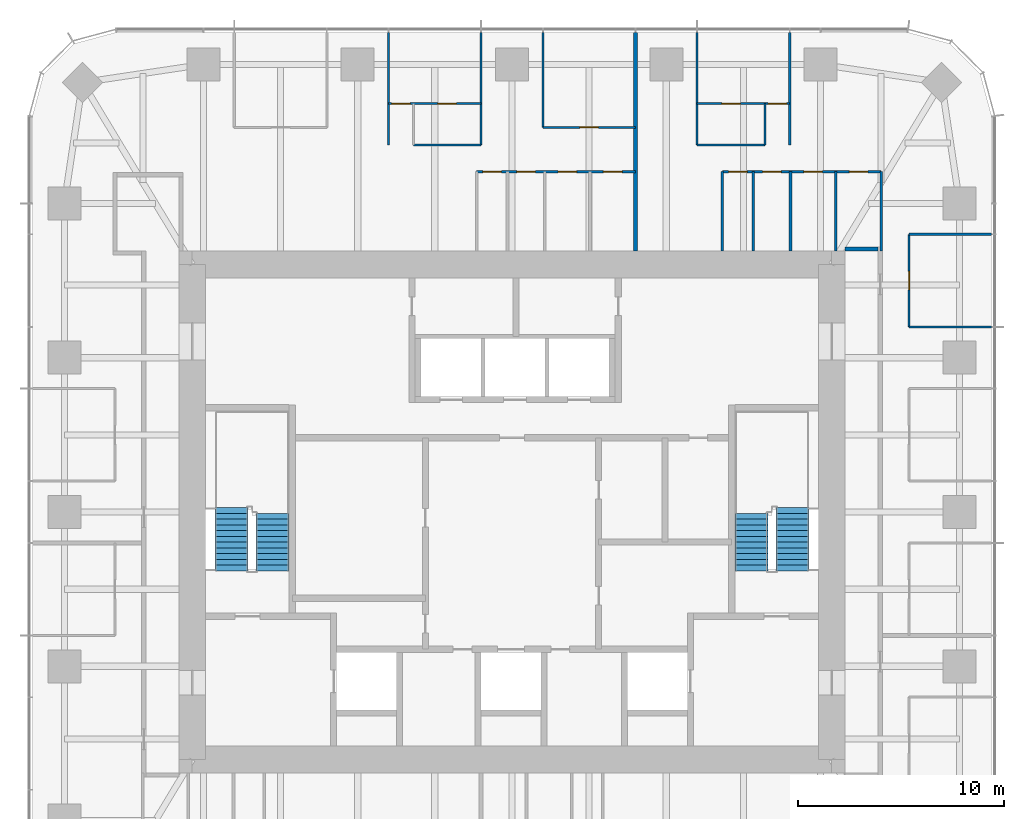
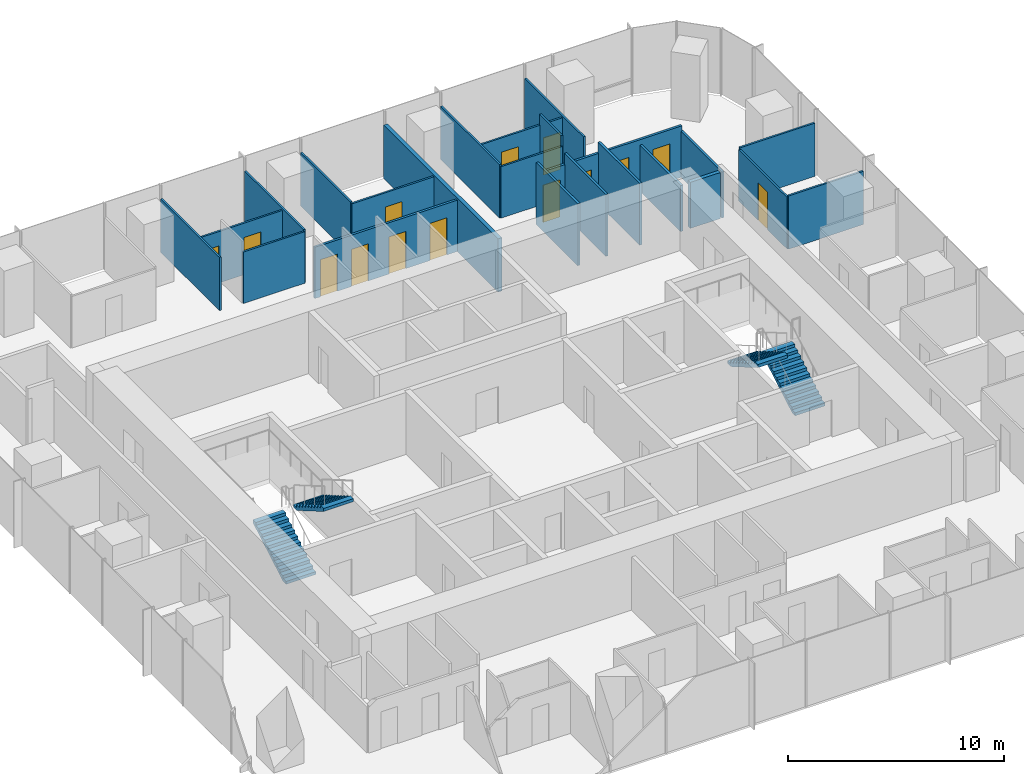
# One storey, part 11 of 12: 23 walls, 14 doors, 4 stair flights, 14 openings, 2 elements without a shape of their own.
"""IFC4 building model written with IfcOpenShell, lengths in metres."""

from ifc_helpers import new_model, si_unit, direction, frame, frame_2d, origin, place, context, subcontext, project, spatial, polyline, rectangle, outline, extrude, material, layer, layer_set, type_object, element, fill, aggregate, save


model = new_model("IFC4")

# Units and contexts
model_context = context("Model", 3, precision=1e-05, world=origin(), true_north=direction((0.0, 1.0)))
body_context = subcontext(model_context, "Body", "Model", "MODEL_VIEW")
ifc_project = project(units=[si_unit("LENGTHUNIT", "METRE"), si_unit("AREAUNIT", "SQUARE_METRE"), si_unit("VOLUMEUNIT", "CUBIC_METRE"), si_unit("PLANEANGLEUNIT", "RADIAN"), si_unit("MASSUNIT", "GRAM", prefix="KILO")], contexts=[model_context])

# Site, building, storey
site_placement = place(None, origin())
site = spatial("IfcSite", under=ifc_project, at=site_placement, CompositionType="ELEMENT")
building_placement = place(site_placement, origin())
building = spatial("IfcBuilding", under=site, at=building_placement, Name="Khuree Lantern Residences", CompositionType="ELEMENT")
storey_placement = place(building_placement, frame((0.0, 0.0, 327.0)))
storey = spatial("IfcBuildingStorey", under=building, at=storey_placement, Name="L82", CompositionType="ELEMENT", Elevation=327.0)

# Wall, openings, doors
ifc_material_1 = material(Name="Moisture-resistant gypsum board on steel studs", Category="steel")
ifc_layer_1 = layer(ifc_material_1, 0.125)
ifc_layer_set_1 = layer_set([ifc_layer_1], Name="BATHROOM WALL BTW125")
wall_type_1 = type_object("IfcWallType", Name="BATHROOM WALL BTW125", PredefinedType="PARTITIONING", material=ifc_layer_set_1)
wall_1_placement = place(storey_placement, frame((17.89990234375, 16.496337890625, 0.0), z_axis=(0.0, 0.0, 1.0), x_axis=(-1.0, 0.0, 0.0)))
wall_1 = element("IfcWall", 1, at=wall_1_placement, inside=storey, type_object=wall_type_1, Name="L82 BATHROOM WALL 01", PredefinedType="PARTITIONING", context=body_context, shape_type="SweptSolid", body=[
    extrude(rectangle(XDim=7.699951171875, YDim=0.125, at=frame_2d((3.85009765625, 0.0))), origin(), (0.0, 0.0, 1.0), 2.89990234375),
])
opening_1_placement = place(wall_1_placement, frame((0.64990234375, 0.0, 0.0)))
opening_1 = element("IfcOpeningElement", 2, at=opening_1_placement, cuts=wall_1, Name="Opening 82-028", PredefinedType="OPENING", context=body_context, shape_type="SweptSolid", body=[
    extrude(rectangle(XDim=0.89990234375, YDim=2.10009765625, at=frame_2d((0.449951171875, 1.050048828125))), frame((0.0, 0.072509765625, 0.0), z_axis=(0.0, -1.0, 0.0), x_axis=(1.0, 0.0, 0.0)), (0.0, 0.0, 1.0), 0.14501953125),
])
opening_2_placement = place(wall_1_placement, frame((2.85009765625, 0.0, 0.0)))
opening_2 = element("IfcOpeningElement", 3, at=opening_2_placement, cuts=wall_1, Name="Opening 82-029", PredefinedType="OPENING", context=body_context, shape_type="SweptSolid", body=[
    extrude(rectangle(XDim=0.89990234375, YDim=2.10009765625, at=frame_2d((0.449951171875, 1.050048828125))), frame((0.0, 0.072509765625, 0.0), z_axis=(0.0, -1.0, 0.0), x_axis=(1.0, 0.0, 0.0)), (0.0, 0.0, 1.0), 0.14501953125),
])
opening_3_placement = place(wall_1_placement, frame((4.85009765625, 0.0, 0.0)))
opening_3 = element("IfcOpeningElement", 4, at=opening_3_placement, cuts=wall_1, Name="Opening 82-030", PredefinedType="OPENING", context=body_context, shape_type="SweptSolid", body=[
    extrude(rectangle(XDim=0.89990234375, YDim=2.10009765625, at=frame_2d((0.449951171875, 1.050048828125))), frame((0.0, 0.072509765625, 0.0), z_axis=(0.0, -1.0, 0.0), x_axis=(1.0, 0.0, 0.0)), (0.0, 0.0, 1.0), 0.14501953125),
])
opening_4_placement = place(wall_1_placement, frame((6.5, 0.0, 0.0)))
opening_4 = element("IfcOpeningElement", 5, at=opening_4_placement, cuts=wall_1, Name="Opening 82-031", PredefinedType="OPENING", context=body_context, shape_type="SweptSolid", body=[
    extrude(rectangle(XDim=0.89990234375, YDim=2.10009765625, at=frame_2d((0.449951171875, 1.050048828125))), frame((0.0, 0.072509765625, 0.0), z_axis=(0.0, -1.0, 0.0), x_axis=(1.0, 0.0, 0.0)), (0.0, 0.0, 1.0), 0.14501953125),
])
ifc_material_2 = material(Name="Timber door leaf in hardwood frame", Category="wood")
door_type_1 = type_object("IfcDoorType", Name="BATHROOM DOOR 900X2100", OperationType="SINGLE_SWING_LEFT", PredefinedType="DOOR", material=ifc_material_2)
door_1_placement = place(opening_1_placement, origin())
door_1 = element("IfcDoor", 6, at=door_1_placement, inside=storey, type_object=door_type_1, Name="Bathroom door 82-028", OperationType="SINGLE_SWING_LEFT", OverallHeight=2.10009765625, OverallWidth=0.89990234375, PredefinedType="DOOR", context=body_context, shape_type="SweptSolid", body=[
    extrude(rectangle(XDim=0.89990234375, YDim=2.10009765625, at=frame_2d((0.449951171875, 1.050048828125))), frame((0.0, 0.02490234375, 0.0), z_axis=(0.0, -1.0, 0.0), x_axis=(1.0, 0.0, 0.0)), (0.0, 0.0, 1.0), 0.050048828125),
])
fill(opening_1, door_1)
door_2_placement = place(opening_2_placement, origin())
door_2 = element("IfcDoor", 7, at=door_2_placement, inside=storey, type_object=door_type_1, Name="Bathroom door 82-029", OperationType="SINGLE_SWING_LEFT", OverallHeight=2.10009765625, OverallWidth=0.89990234375, PredefinedType="DOOR", context=body_context, shape_type="SweptSolid", body=[
    extrude(rectangle(XDim=0.89990234375, YDim=2.10009765625, at=frame_2d((0.449951171875, 1.050048828125))), frame((0.0, 0.02490234375, 0.0), z_axis=(0.0, -1.0, 0.0), x_axis=(1.0, 0.0, 0.0)), (0.0, 0.0, 1.0), 0.050048828125),
])
fill(opening_2, door_2)
door_type_2 = type_object("IfcDoorType", Name="DOOR 900X2100", OperationType="SINGLE_SWING_LEFT", PredefinedType="DOOR", material=ifc_material_2)
door_3_placement = place(opening_3_placement, origin())
door_3 = element("IfcDoor", 8, at=door_3_placement, inside=storey, type_object=door_type_2, Name="Store door 82-030", OperationType="SINGLE_SWING_LEFT", OverallHeight=2.10009765625, OverallWidth=0.89990234375, PredefinedType="DOOR", context=body_context, shape_type="SweptSolid", body=[
    extrude(rectangle(XDim=0.89990234375, YDim=2.10009765625, at=frame_2d((0.449951171875, 1.050048828125))), frame((0.0, 0.02490234375, 0.0), z_axis=(0.0, -1.0, 0.0), x_axis=(1.0, 0.0, 0.0)), (0.0, 0.0, 1.0), 0.050048828125),
])
fill(opening_3, door_3)
door_type_3 = type_object("IfcDoorType", Name="WC DOOR 900X2100", OperationType="SINGLE_SWING_LEFT", PredefinedType="DOOR", material=ifc_material_2)
door_4_placement = place(opening_4_placement, origin())
door_4 = element("IfcDoor", 9, at=door_4_placement, inside=storey, type_object=door_type_3, Name="WC door 82-031", OperationType="SINGLE_SWING_LEFT", OverallHeight=2.10009765625, OverallWidth=0.89990234375, PredefinedType="DOOR", context=body_context, shape_type="SweptSolid", body=[
    extrude(rectangle(XDim=0.89990234375, YDim=2.10009765625, at=frame_2d((0.449951171875, 1.050048828125))), frame((0.0, 0.02490234375, 0.0), z_axis=(0.0, -1.0, 0.0), x_axis=(1.0, 0.0, 0.0)), (0.0, 0.0, 1.0), 0.050048828125),
])
fill(opening_4, door_4)

# Walls
for number, where, z_axis, x_axis, name in (
    (10, (17.89990234375, 12.64990234375, 0.0), (0.0, 0.0, 1.0), (0.0, 1.0, 0.0), "L82 BATHROOM WALL 01"),
    (11, (15.699951171875, 12.64990234375, 0.0), (0.0, 0.0, 1.0), (0.0, 1.0, 0.0), "L82 BATHROOM WALL 01"),
):
    element("IfcWall", number, at=place(storey_placement, frame(where, z_axis=z_axis, x_axis=x_axis)), inside=storey, type_object=wall_type_1, Name=name, PredefinedType="PARTITIONING", context=body_context, shape_type="SweptSolid", body=[
        extrude(rectangle(XDim=3.846435546875, YDim=0.125, at=frame_2d((1.92333984375, 0.0))), origin(), (0.0, 0.0, 1.0), 2.60009765625),
    ])
for number, where, z_axis, x_axis, name in (
    (12, (13.5, 12.64990234375, 0.0), (0.0, 0.0, 1.0), (0.0, 1.0, 0.0), "L82 BATHROOM WALL 01"),
    (13, (11.699951171875, 12.64990234375, 0.0), (0.0, 0.0, 1.0), (0.0, 1.0, 0.0), "L82 BATHROOM WALL 01"),
    (14, (10.199951171875, 12.64990234375, 0.0), (0.0, 0.0, 1.0), (0.0, 1.0, 0.0), "L82 BATHROOM WALL 01"),
):
    element("IfcWall", number, at=place(storey_placement, frame(where, z_axis=z_axis, x_axis=x_axis)), inside=storey, type_object=wall_type_1, Name=name, PredefinedType="PARTITIONING", context=body_context, shape_type="SweptSolid", body=[
        extrude(rectangle(XDim=3.846435546875, YDim=0.125, at=frame_2d((1.92333984375, 0.0))), origin(), (0.0, 0.0, 1.0), 3.5),
    ])

# Wall, openings, doors
wall_2_placement = place(storey_placement, frame((5.98388671875, 16.496337890625, 0.0), z_axis=(0.0, 0.0, 1.0), x_axis=(-1.0, 0.0, 0.0)))
wall_2 = element("IfcWall", 15, at=wall_2_placement, inside=storey, type_object=wall_type_1, Name="L82 BATHROOM WALL 02", PredefinedType="PARTITIONING", context=body_context, shape_type="SweptSolid", body=[
    extrude(rectangle(XDim=7.699951171875, YDim=0.125, at=frame_2d((3.85009765625, 0.0))), origin(), (0.0, 0.0, 1.0), 2.89990234375),
])
opening_5_placement = place(wall_2_placement, frame((0.64990234375, 0.0, 0.0)))
opening_5 = element("IfcOpeningElement", 16, at=opening_5_placement, cuts=wall_2, Name="Opening 82-038", PredefinedType="OPENING", context=body_context, shape_type="SweptSolid", body=[
    extrude(rectangle(XDim=0.89990234375, YDim=2.10009765625, at=frame_2d((0.449951171875, 1.050048828125))), frame((0.0, 0.072509765625, 0.0), z_axis=(0.0, -1.0, 0.0), x_axis=(1.0, 0.0, 0.0)), (0.0, 0.0, 1.0), 0.14501953125),
])
opening_6_placement = place(wall_2_placement, frame((2.85009765625, 0.0, 0.0)))
opening_6 = element("IfcOpeningElement", 17, at=opening_6_placement, cuts=wall_2, Name="Opening 82-039", PredefinedType="OPENING", context=body_context, shape_type="SweptSolid", body=[
    extrude(rectangle(XDim=0.89990234375, YDim=2.10009765625, at=frame_2d((0.449951171875, 1.050048828125))), frame((0.0, 0.072509765625, 0.0), z_axis=(0.0, -1.0, 0.0), x_axis=(1.0, 0.0, 0.0)), (0.0, 0.0, 1.0), 0.14501953125),
])
opening_7_placement = place(wall_2_placement, frame((4.85009765625, 0.0, 0.0)))
opening_7 = element("IfcOpeningElement", 18, at=opening_7_placement, cuts=wall_2, Name="Opening 82-040", PredefinedType="OPENING", context=body_context, shape_type="SweptSolid", body=[
    extrude(rectangle(XDim=0.89990234375, YDim=2.10009765625, at=frame_2d((0.449951171875, 1.050048828125))), frame((0.0, 0.072509765625, 0.0), z_axis=(0.0, -1.0, 0.0), x_axis=(1.0, 0.0, 0.0)), (0.0, 0.0, 1.0), 0.14501953125),
])
opening_8_placement = place(wall_2_placement, frame((6.5, 0.0, 0.0)))
opening_8 = element("IfcOpeningElement", 19, at=opening_8_placement, cuts=wall_2, Name="Opening 82-041", PredefinedType="OPENING", context=body_context, shape_type="SweptSolid", body=[
    extrude(rectangle(XDim=0.89990234375, YDim=2.10009765625, at=frame_2d((0.449951171875, 1.050048828125))), frame((0.0, 0.072509765625, 0.0), z_axis=(0.0, -1.0, 0.0), x_axis=(1.0, 0.0, 0.0)), (0.0, 0.0, 1.0), 0.14501953125),
])
door_5_placement = place(opening_5_placement, origin())
door_5 = element("IfcDoor", 20, at=door_5_placement, inside=storey, type_object=door_type_1, Name="Bathroom door 82-038", OperationType="SINGLE_SWING_LEFT", OverallHeight=2.10009765625, OverallWidth=0.89990234375, PredefinedType="DOOR", context=body_context, shape_type="SweptSolid", body=[
    extrude(rectangle(XDim=0.89990234375, YDim=2.10009765625, at=frame_2d((0.449951171875, 1.050048828125))), frame((0.0, 0.02490234375, 0.0), z_axis=(0.0, -1.0, 0.0), x_axis=(1.0, 0.0, 0.0)), (0.0, 0.0, 1.0), 0.050048828125),
])
fill(opening_5, door_5)
door_6_placement = place(opening_6_placement, origin())
door_6 = element("IfcDoor", 21, at=door_6_placement, inside=storey, type_object=door_type_1, Name="Bathroom door 82-039", OperationType="SINGLE_SWING_LEFT", OverallHeight=2.10009765625, OverallWidth=0.89990234375, PredefinedType="DOOR", context=body_context, shape_type="SweptSolid", body=[
    extrude(rectangle(XDim=0.89990234375, YDim=2.10009765625, at=frame_2d((0.449951171875, 1.050048828125))), frame((0.0, 0.02490234375, 0.0), z_axis=(0.0, -1.0, 0.0), x_axis=(1.0, 0.0, 0.0)), (0.0, 0.0, 1.0), 0.050048828125),
])
fill(opening_6, door_6)
door_7_placement = place(opening_7_placement, origin())
door_7 = element("IfcDoor", 22, at=door_7_placement, inside=storey, type_object=door_type_2, Name="Store door 82-040", OperationType="SINGLE_SWING_LEFT", OverallHeight=2.10009765625, OverallWidth=0.89990234375, PredefinedType="DOOR", context=body_context, shape_type="SweptSolid", body=[
    extrude(rectangle(XDim=0.89990234375, YDim=2.10009765625, at=frame_2d((0.449951171875, 1.050048828125))), frame((0.0, 0.02490234375, 0.0), z_axis=(0.0, -1.0, 0.0), x_axis=(1.0, 0.0, 0.0)), (0.0, 0.0, 1.0), 0.050048828125),
])
fill(opening_7, door_7)
door_8_placement = place(opening_8_placement, origin())
door_8 = element("IfcDoor", 23, at=door_8_placement, inside=storey, type_object=door_type_3, Name="WC door 82-041", OperationType="SINGLE_SWING_LEFT", OverallHeight=2.10009765625, OverallWidth=0.89990234375, PredefinedType="DOOR", context=body_context, shape_type="SweptSolid", body=[
    extrude(rectangle(XDim=0.89990234375, YDim=2.10009765625, at=frame_2d((0.449951171875, 1.050048828125))), frame((0.0, 0.02490234375, 0.0), z_axis=(0.0, -1.0, 0.0), x_axis=(1.0, 0.0, 0.0)), (0.0, 0.0, 1.0), 0.050048828125),
])
fill(opening_8, door_8)

# Walls
ifc_material_3 = material(Name="Gypsum board on steel studs", Category="steel")
ifc_layer_2 = layer(ifc_material_3, 0.199951171875)
ifc_layer_set_2 = layer_set([ifc_layer_2], Name="CORRIDOR WALL CRW200 EI 60")
wall_type_2 = type_object("IfcWallType", Name="CORRIDOR WALL CRW200 EI 60", PredefinedType="PARTITIONING", material=ifc_layer_set_2)
wall_3_placement = place(storey_placement, frame((16.14990234375, 12.75, 0.0), z_axis=(0.0, 0.0, 1.0), x_axis=(1.0, 0.0, 0.0)))
element("IfcWall", 24, at=wall_3_placement, inside=storey, type_object=wall_type_2, Name="L82 EAST CORRIDOR NORTH END WALL", PredefinedType="PARTITIONING", context=body_context, shape_type="SweptSolid", body=[
    extrude(rectangle(XDim=1.60009765625, YDim=0.199951171875, at=frame_2d((0.800048828125, 0.0))), origin(), (0.0, 0.0, 1.0), 2.60009765625),
])
ifc_layer_3 = layer(ifc_material_3, 0.199951171875)
ifc_layer_set_3 = layer_set([ifc_layer_3], Name="DEMISING WALL DMW200 EI 90")
wall_type_3 = type_object("IfcWallType", Name="DEMISING WALL DMW200 EI 90", PredefinedType="PARTITIONING", material=ifc_layer_set_3)
wall_4_placement = place(storey_placement, frame((5.98388671875, 12.64990234375, 0.0), z_axis=(0.0, 0.0, 1.0), x_axis=(0.0, 1.0, 0.0)))
element("IfcWall", 25, at=wall_4_placement, inside=storey, type_object=wall_type_3, Name="L82 DEMISING WALL 02", PredefinedType="PARTITIONING", context=body_context, shape_type="SweptSolid", body=[
    extrude(rectangle(XDim=10.60009765625, YDim=0.199951171875, at=frame_2d((5.300048828125, 0.0))), origin(), (0.0, 0.0, 1.0), 3.010009765625),
])
ifc_layer_4 = layer(ifc_material_3, 0.10009765625)
ifc_layer_set_4 = layer_set([ifc_layer_4], Name="PARTITION PT100")
wall_type_4 = type_object("IfcWallType", Name="PARTITION PT100", PredefinedType="PARTITIONING", material=ifc_layer_set_4)
for number, where, z_axis, x_axis, name in (
    (26, (19.25, 8.97607421875, 0.0), (0.0, 0.0, 1.0), (1.0, 0.0, 0.0), "L82 PARTITION 01"),
    (27, (19.25, 13.464111328125, 0.0), (0.0, 0.0, 1.0), (1.0, 0.0, 0.0), "L82 PARTITION 01"),
):
    element("IfcWall", number, at=place(storey_placement, frame(where, z_axis=z_axis, x_axis=x_axis)), inside=storey, type_object=wall_type_4, Name=name, PredefinedType="PARTITIONING", context=body_context, shape_type="SweptSolid", body=[
        extrude(rectangle(XDim=4.0, YDim=0.10009765625, at=frame_2d((2.0, 0.0))), origin(), (0.0, 0.0, 1.0), 3.010009765625),
    ])
for number, where, z_axis, x_axis, name in (
    (28, (13.464111328125, 17.79638671875, 0.0), (0.0, 0.0, 1.0), (0.0, 1.0, 0.0), "L82 PARTITION 01"),
    (29, (8.97607421875, 17.79638671875, 0.0), (0.0, 0.0, 1.0), (0.0, 1.0, 0.0), "L82 PARTITION 01"),
):
    element("IfcWall", number, at=place(storey_placement, frame(where, z_axis=z_axis, x_axis=x_axis)), inside=storey, type_object=wall_type_4, Name=name, PredefinedType="PARTITIONING", context=body_context, shape_type="SweptSolid", body=[
        extrude(rectangle(XDim=5.45361328125, YDim=0.10009765625, at=frame_2d((2.726806640625, 0.0))), origin(), (0.0, 0.0, 1.0), 3.010009765625),
    ])
wall_5_placement = place(storey_placement, frame((1.49609375, 18.64990234375, 0.0), z_axis=(0.0, 0.0, 1.0), x_axis=(0.0, 1.0, 0.0)))
element("IfcWall", 30, at=wall_5_placement, inside=storey, type_object=wall_type_4, Name="L82 PARTITION 02", PredefinedType="PARTITIONING", context=body_context, shape_type="SweptSolid", body=[
    extrude(rectangle(XDim=4.60009765625, YDim=0.10009765625, at=frame_2d((2.300048828125, 0.0))), origin(), (0.0, 0.0, 1.0), 3.010009765625),
])
for number, where, z_axis, x_axis, name in (
    (31, (-1.49609375, 17.79638671875, 0.0), (0.0, 0.0, 1.0), (0.0, 1.0, 0.0), "L82 PARTITION 02"),
    (32, (-5.98388671875, 17.79638671875, 0.0), (0.0, 0.0, 1.0), (0.0, 1.0, 0.0), "L82 PARTITION 02"),
):
    element("IfcWall", number, at=place(storey_placement, frame(where, z_axis=z_axis, x_axis=x_axis)), inside=storey, type_object=wall_type_4, Name=name, PredefinedType="PARTITIONING", context=body_context, shape_type="SweptSolid", body=[
        extrude(rectangle(XDim=5.45361328125, YDim=0.10009765625, at=frame_2d((2.726806640625, 0.0))), origin(), (0.0, 0.0, 1.0), 3.010009765625),
    ])

# Wall, opening, door
wall_6_placement = place(storey_placement, frame((19.25, 8.97607421875, 0.0), z_axis=(0.0, 0.0, 1.0), x_axis=(0.0, 1.0, 0.0)))
wall_6 = element("IfcWall", 33, at=wall_6_placement, inside=storey, type_object=wall_type_4, Name="L82 PARTITION 01", PredefinedType="PARTITIONING", context=body_context, shape_type="SweptSolid", body=[
    extrude(rectangle(XDim=4.488037109375, YDim=0.10009765625, at=frame_2d((2.244140625, 0.0))), origin(), (0.0, 0.0, 1.0), 2.909912109375),
])
opening_9_placement = place(wall_6_placement, frame((1.7939453125, 0.0, 0.0)))
opening_9 = element("IfcOpeningElement", 34, at=opening_9_placement, cuts=wall_6, Name="Opening 82-025", PredefinedType="OPENING", context=body_context, shape_type="SweptSolid", body=[
    extrude(rectangle(XDim=0.89990234375, YDim=2.10009765625, at=frame_2d((0.449951171875, 1.050048828125))), frame((0.0, 0.06005859375, 0.0), z_axis=(0.0, -1.0, 0.0), x_axis=(1.0, 0.0, 0.0)), (0.0, 0.0, 1.0), 0.1201171875),
])
door_type_4 = type_object("IfcDoorType", Name="BEDROOM DOOR 900X2100", OperationType="SINGLE_SWING_LEFT", PredefinedType="DOOR", material=ifc_material_2)
door_9_placement = place(opening_9_placement, origin())
door_9 = element("IfcDoor", 35, at=door_9_placement, inside=storey, type_object=door_type_4, Name="Bedroom door 82-025", OperationType="SINGLE_SWING_LEFT", OverallHeight=2.10009765625, OverallWidth=0.89990234375, PredefinedType="DOOR", context=body_context, shape_type="SweptSolid", body=[
    extrude(rectangle(XDim=0.89990234375, YDim=2.10009765625, at=frame_2d((0.449951171875, 1.050048828125))), frame((0.0, 0.02490234375, 0.0), z_axis=(0.0, -1.0, 0.0), x_axis=(1.0, 0.0, 0.0)), (0.0, 0.0, 1.0), 0.050048828125),
])
fill(opening_9, door_9)

# Wall, openings, doors
wall_7_placement = place(storey_placement, frame((13.464111328125, 19.79638671875, 0.0), z_axis=(0.0, 0.0, 1.0), x_axis=(-1.0, 0.0, 0.0)))
wall_7 = element("IfcWall", 36, at=wall_7_placement, inside=storey, type_object=wall_type_4, Name="L82 PARTITION 01", PredefinedType="PARTITIONING", context=body_context, shape_type="SweptSolid", body=[
    extrude(rectangle(XDim=4.488037109375, YDim=0.10009765625, at=frame_2d((2.244140625, 0.0))), origin(), (0.0, 0.0, 1.0), 2.909912109375),
])
opening_10_placement = place(wall_7_placement, frame((0.14990234375, 0.0, 0.0)))
opening_10 = element("IfcOpeningElement", 37, at=opening_10_placement, cuts=wall_7, Name="Opening 82-026", PredefinedType="OPENING", context=body_context, shape_type="SweptSolid", body=[
    extrude(rectangle(XDim=0.89990234375, YDim=2.10009765625, at=frame_2d((0.449951171875, 1.050048828125))), frame((0.0, 0.06005859375, 0.0), z_axis=(0.0, -1.0, 0.0), x_axis=(1.0, 0.0, 0.0)), (0.0, 0.0, 1.0), 0.1201171875),
])
opening_11_placement = place(wall_7_placement, frame((2.39404296875, 0.0, 0.0)))
opening_11 = element("IfcOpeningElement", 38, at=opening_11_placement, cuts=wall_7, Name="Opening 82-027", PredefinedType="OPENING", context=body_context, shape_type="SweptSolid", body=[
    extrude(rectangle(XDim=0.89990234375, YDim=2.10009765625, at=frame_2d((0.449951171875, 1.050048828125))), frame((0.0, 0.06005859375, 0.0), z_axis=(0.0, -1.0, 0.0), x_axis=(1.0, 0.0, 0.0)), (0.0, 0.0, 1.0), 0.1201171875),
])
door_10_placement = place(opening_10_placement, origin())
door_10 = element("IfcDoor", 39, at=door_10_placement, inside=storey, type_object=door_type_4, Name="Bedroom door 82-026", OperationType="SINGLE_SWING_LEFT", OverallHeight=2.10009765625, OverallWidth=0.89990234375, PredefinedType="DOOR", context=body_context, shape_type="SweptSolid", body=[
    extrude(rectangle(XDim=0.89990234375, YDim=2.10009765625, at=frame_2d((0.449951171875, 1.050048828125))), frame((0.0, 0.02490234375, 0.0), z_axis=(0.0, -1.0, 0.0), x_axis=(1.0, 0.0, 0.0)), (0.0, 0.0, 1.0), 0.050048828125),
])
fill(opening_10, door_10)
door_11_placement = place(opening_11_placement, origin())
door_11 = element("IfcDoor", 40, at=door_11_placement, inside=storey, type_object=door_type_2, Name="Wardrobe door 82-027", OperationType="SINGLE_SWING_LEFT", OverallHeight=2.10009765625, OverallWidth=0.89990234375, PredefinedType="DOOR", context=body_context, shape_type="SweptSolid", body=[
    extrude(rectangle(XDim=0.89990234375, YDim=2.10009765625, at=frame_2d((0.449951171875, 1.050048828125))), frame((0.0, 0.02490234375, 0.0), z_axis=(0.0, -1.0, 0.0), x_axis=(1.0, 0.0, 0.0)), (0.0, 0.0, 1.0), 0.050048828125),
])
fill(opening_11, door_11)

# Walls
wall_8_placement = place(storey_placement, frame((12.263916015625, 17.79638671875, 0.0), z_axis=(0.0, 0.0, 1.0), x_axis=(0.0, 1.0, 0.0)))
element("IfcWall", 41, at=wall_8_placement, inside=storey, type_object=wall_type_4, Name="L82 PARTITION 01", PredefinedType="PARTITIONING", context=body_context, shape_type="SweptSolid", body=[
    extrude(rectangle(XDim=2.0, YDim=0.10009765625, at=frame_2d((1.0, 0.0))), origin(), (0.0, 0.0, 1.0), 3.5),
])
wall_9_placement = place(storey_placement, frame((12.263916015625, 17.79638671875, 0.0), z_axis=(0.0, 0.0, 1.0), x_axis=(-1.0, 0.0, 0.0)))
element("IfcWall", 42, at=wall_9_placement, inside=storey, type_object=wall_type_4, Name="L82 PARTITION 01", PredefinedType="PARTITIONING", context=body_context, shape_type="SweptSolid", body=[
    extrude(rectangle(XDim=3.287841796875, YDim=0.10009765625, at=frame_2d((1.64404296875, 0.0))), origin(), (0.0, 0.0, 1.0), 2.909912109375),
])

# Wall, opening, door
wall_10_placement = place(storey_placement, frame((5.98388671875, 18.64990234375, 0.0), z_axis=(0.0, 0.0, 1.0), x_axis=(-1.0, 0.0, 0.0)))
wall_10 = element("IfcWall", 43, at=wall_10_placement, inside=storey, type_object=wall_type_4, Name="L82 PARTITION 02", PredefinedType="PARTITIONING", context=body_context, shape_type="SweptSolid", body=[
    extrude(rectangle(XDim=4.48779296875, YDim=0.10009765625, at=frame_2d((2.243896484375, 0.0))), origin(), (0.0, 0.0, 1.0), 2.909912109375),
])
opening_12_placement = place(wall_10_placement, frame((1.7939453125, 0.0, 0.0)))
opening_12 = element("IfcOpeningElement", 44, at=opening_12_placement, cuts=wall_10, Name="Opening 82-033", PredefinedType="OPENING", context=body_context, shape_type="SweptSolid", body=[
    extrude(rectangle(XDim=0.89990234375, YDim=2.10009765625, at=frame_2d((0.449951171875, 1.050048828125))), frame((0.0, 0.06005859375, 0.0), z_axis=(0.0, -1.0, 0.0), x_axis=(1.0, 0.0, 0.0)), (0.0, 0.0, 1.0), 0.1201171875),
])
door_12_placement = place(opening_12_placement, origin())
door_12 = element("IfcDoor", 45, at=door_12_placement, inside=storey, type_object=door_type_4, Name="Bedroom door 82-033", OperationType="SINGLE_SWING_LEFT", OverallHeight=2.10009765625, OverallWidth=0.89990234375, PredefinedType="DOOR", context=body_context, shape_type="SweptSolid", body=[
    extrude(rectangle(XDim=0.89990234375, YDim=2.10009765625, at=frame_2d((0.449951171875, 1.050048828125))), frame((0.0, 0.02490234375, 0.0), z_axis=(0.0, -1.0, 0.0), x_axis=(1.0, 0.0, 0.0)), (0.0, 0.0, 1.0), 0.050048828125),
])
fill(opening_12, door_12)

# Wall, openings, doors
wall_11_placement = place(storey_placement, frame((-1.49609375, 19.79638671875, 0.0), z_axis=(0.0, 0.0, 1.0), x_axis=(-1.0, 0.0, 0.0)))
wall_11 = element("IfcWall", 46, at=wall_11_placement, inside=storey, type_object=wall_type_4, Name="L82 PARTITION 02", PredefinedType="PARTITIONING", context=body_context, shape_type="SweptSolid", body=[
    extrude(rectangle(XDim=4.48779296875, YDim=0.10009765625, at=frame_2d((2.243896484375, 0.0))), origin(), (0.0, 0.0, 1.0), 2.909912109375),
])
opening_13_placement = place(wall_11_placement, frame((3.43798828125, 0.0, 0.0)))
opening_13 = element("IfcOpeningElement", 47, at=opening_13_placement, cuts=wall_11, Name="Opening 82-034", PredefinedType="OPENING", context=body_context, shape_type="SweptSolid", body=[
    extrude(rectangle(XDim=0.89990234375, YDim=2.10009765625, at=frame_2d((0.449951171875, 1.050048828125))), frame((0.0, 0.06005859375, 0.0), z_axis=(0.0, -1.0, 0.0), x_axis=(1.0, 0.0, 0.0)), (0.0, 0.0, 1.0), 0.1201171875),
])
opening_14_placement = place(wall_11_placement, frame((1.194091796875, 0.0, 0.0)))
opening_14 = element("IfcOpeningElement", 48, at=opening_14_placement, cuts=wall_11, Name="Opening 82-035", PredefinedType="OPENING", context=body_context, shape_type="SweptSolid", body=[
    extrude(rectangle(XDim=0.89990234375, YDim=2.10009765625, at=frame_2d((0.449951171875, 1.050048828125))), frame((0.0, 0.06005859375, 0.0), z_axis=(0.0, -1.0, 0.0), x_axis=(1.0, 0.0, 0.0)), (0.0, 0.0, 1.0), 0.1201171875),
])
door_13_placement = place(opening_13_placement, origin())
door_13 = element("IfcDoor", 49, at=door_13_placement, inside=storey, type_object=door_type_4, Name="Bedroom door 82-034", OperationType="SINGLE_SWING_LEFT", OverallHeight=2.10009765625, OverallWidth=0.89990234375, PredefinedType="DOOR", context=body_context, shape_type="SweptSolid", body=[
    extrude(rectangle(XDim=0.89990234375, YDim=2.10009765625, at=frame_2d((0.449951171875, 1.050048828125))), frame((0.0, 0.02490234375, 0.0), z_axis=(0.0, -1.0, 0.0), x_axis=(1.0, 0.0, 0.0)), (0.0, 0.0, 1.0), 0.050048828125),
])
fill(opening_13, door_13)
door_14_placement = place(opening_14_placement, origin())
door_14 = element("IfcDoor", 50, at=door_14_placement, inside=storey, type_object=door_type_2, Name="Wardrobe door 82-035", OperationType="SINGLE_SWING_LEFT", OverallHeight=2.10009765625, OverallWidth=0.89990234375, PredefinedType="DOOR", context=body_context, shape_type="SweptSolid", body=[
    extrude(rectangle(XDim=0.89990234375, YDim=2.10009765625, at=frame_2d((0.449951171875, 1.050048828125))), frame((0.0, 0.02490234375, 0.0), z_axis=(0.0, -1.0, 0.0), x_axis=(1.0, 0.0, 0.0)), (0.0, 0.0, 1.0), 0.050048828125),
])
fill(opening_14, door_14)

# Wall
wall_12_placement = place(storey_placement, frame((-1.49609375, 17.79638671875, 0.0), z_axis=(0.0, 0.0, 1.0), x_axis=(-1.0, 0.0, 0.0)))
element("IfcWall", 51, at=wall_12_placement, inside=storey, type_object=wall_type_4, Name="L82 PARTITION 02", PredefinedType="PARTITIONING", context=body_context, shape_type="SweptSolid", body=[
    extrude(rectangle(XDim=3.287841796875, YDim=0.10009765625, at=frame_2d((1.64404296875, 0.0))), origin(), (0.0, 0.0, 1.0), 2.909912109375),
])

# Stair, stair flights
ifc_material_4 = material(Name="Concrete C40/50", Category="concrete")
stair_type = type_object("IfcStairType", Name="STAIR ST1 HALF TURN 3600", PredefinedType="HALF_TURN_STAIR", material=ifc_material_4)
stair_1_placement = place(storey_placement, origin())
stair_1 = element("IfcStair", 52, at=stair_1_placement, inside=storey, type_object=stair_type, Name="Stair ST1", PredefinedType="HALF_TURN_STAIR")
stair_flight_type = type_object("IfcStairFlightType", Name="STAIR FLIGHT SF1 1600", PredefinedType="STRAIGHT", material=ifc_material_4)
stair_flight_1_placement = place(storey_placement, frame((-13.60009765625, -2.860107421875, 0.0), z_axis=(0.0, 0.0, 1.0), x_axis=(0.0, 1.0, 0.0)))
stair_flight_1 = element("IfcStairFlight", 53, at=stair_flight_1_placement, type_object=stair_flight_type, Name="ST1 flight 1", NumberOfRisers=12, NumberOfTreads=11, PredefinedType="STRAIGHT", RiserHeight=0.163043478, TreadLength=0.28, context=body_context, shape_type="SweptSolid", body=[
    extrude(outline(polyline([(0.0, 0.0), (0.0, 0.1630859375), (0.280029296875, 0.1630859375), (0.280029296875, 0.326171875), (0.56005859375, 0.326171875), (0.56005859375, 0.489013671875), (0.840087890625, 0.489013671875), (0.840087890625, 0.652099609375), (1.1201171875, 0.652099609375), (1.1201171875, 0.815185546875), (1.39990234375, 0.815185546875), (1.39990234375, 0.978271484375), (1.679931640625, 0.978271484375), (1.679931640625, 1.141357421875), (1.9599609375, 1.141357421875), (1.9599609375, 1.304443359375), (2.239990234375, 1.304443359375), (2.239990234375, 1.46728515625), (2.52001953125, 1.46728515625), (2.52001953125, 1.63037109375), (2.800048828125, 1.63037109375), (2.800048828125, 1.79345703125), (3.080078125, 1.79345703125), (3.080078125, 1.95654296875), (3.080078125, 1.6201171875), (0.2978515625, 0.0), (0.0, 0.0)])), frame((0.0, 0.800048828125, 0.0), z_axis=(0.0, -1.0, 0.0), x_axis=(1.0, 0.0, 0.0)), (0.0, 0.0, 1.0), 1.60009765625),
])
stair_flight_2_placement = place(storey_placement, frame((-11.60009765625, -0.06005859375, 1.95654296875), z_axis=(0.0, 0.0, 1.0), x_axis=(0.0, -1.0, 0.0)))
stair_flight_2 = element("IfcStairFlight", 54, at=stair_flight_2_placement, type_object=stair_flight_type, Name="ST1 flight 2", NumberOfRisers=11, NumberOfTreads=10, PredefinedType="STRAIGHT", RiserHeight=0.163043478, TreadLength=0.28, context=body_context, shape_type="SweptSolid", body=[
    extrude(outline(polyline([(0.0, 0.0), (0.0, 0.1630859375), (0.280029296875, 0.1630859375), (0.280029296875, 0.326171875), (0.56005859375, 0.326171875), (0.56005859375, 0.489013671875), (0.840087890625, 0.489013671875), (0.840087890625, 0.652099609375), (1.1201171875, 0.652099609375), (1.1201171875, 0.815185546875), (1.39990234375, 0.815185546875), (1.39990234375, 0.978271484375), (1.679931640625, 0.978271484375), (1.679931640625, 1.141357421875), (1.9599609375, 1.141357421875), (1.9599609375, 1.304443359375), (2.239990234375, 1.304443359375), (2.239990234375, 1.46728515625), (2.52001953125, 1.46728515625), (2.52001953125, 1.63037109375), (2.800048828125, 1.63037109375), (2.800048828125, 1.79345703125), (2.800048828125, 1.45703125), (0.2978515625, 0.0), (0.0, 0.0)])), frame((0.0, 0.800048828125, 0.0), z_axis=(0.0, -1.0, 0.0), x_axis=(1.0, 0.0, 0.0)), (0.0, 0.0, 1.0), 1.60009765625),
])
aggregate(stair_1, [stair_flight_1, stair_flight_2])

stair_2_placement = place(storey_placement, origin())
stair_2 = element("IfcStair", 55, at=stair_2_placement, inside=storey, type_object=stair_type, Name="Stair ST2", PredefinedType="HALF_TURN_STAIR")
stair_flight_3_placement = place(storey_placement, frame((13.60009765625, -2.860107421875, 0.0), z_axis=(0.0, 0.0, 1.0), x_axis=(0.0, 1.0, 0.0)))
stair_flight_3 = element("IfcStairFlight", 56, at=stair_flight_3_placement, type_object=stair_flight_type, Name="ST2 flight 1", NumberOfRisers=12, NumberOfTreads=11, PredefinedType="STRAIGHT", RiserHeight=0.163043478, TreadLength=0.28, context=body_context, shape_type="SweptSolid", body=[
    extrude(outline(polyline([(0.0, 0.0), (0.0, 0.1630859375), (0.280029296875, 0.1630859375), (0.280029296875, 0.326171875), (0.56005859375, 0.326171875), (0.56005859375, 0.489013671875), (0.840087890625, 0.489013671875), (0.840087890625, 0.652099609375), (1.1201171875, 0.652099609375), (1.1201171875, 0.815185546875), (1.39990234375, 0.815185546875), (1.39990234375, 0.978271484375), (1.679931640625, 0.978271484375), (1.679931640625, 1.141357421875), (1.9599609375, 1.141357421875), (1.9599609375, 1.304443359375), (2.239990234375, 1.304443359375), (2.239990234375, 1.46728515625), (2.52001953125, 1.46728515625), (2.52001953125, 1.63037109375), (2.800048828125, 1.63037109375), (2.800048828125, 1.79345703125), (3.080078125, 1.79345703125), (3.080078125, 1.95654296875), (3.080078125, 1.6201171875), (0.2978515625, 0.0), (0.0, 0.0)])), frame((0.0, 0.800048828125, 0.0), z_axis=(0.0, -1.0, 0.0), x_axis=(1.0, 0.0, 0.0)), (0.0, 0.0, 1.0), 1.60009765625),
])
stair_flight_4_placement = place(storey_placement, frame((11.60009765625, -0.06005859375, 1.95654296875), z_axis=(0.0, 0.0, 1.0), x_axis=(0.0, -1.0, 0.0)))
stair_flight_4 = element("IfcStairFlight", 57, at=stair_flight_4_placement, type_object=stair_flight_type, Name="ST2 flight 2", NumberOfRisers=11, NumberOfTreads=10, PredefinedType="STRAIGHT", RiserHeight=0.163043478, TreadLength=0.28, context=body_context, shape_type="SweptSolid", body=[
    extrude(outline(polyline([(0.0, 0.0), (0.0, 0.1630859375), (0.280029296875, 0.1630859375), (0.280029296875, 0.326171875), (0.56005859375, 0.326171875), (0.56005859375, 0.489013671875), (0.840087890625, 0.489013671875), (0.840087890625, 0.652099609375), (1.1201171875, 0.652099609375), (1.1201171875, 0.815185546875), (1.39990234375, 0.815185546875), (1.39990234375, 0.978271484375), (1.679931640625, 0.978271484375), (1.679931640625, 1.141357421875), (1.9599609375, 1.141357421875), (1.9599609375, 1.304443359375), (2.239990234375, 1.304443359375), (2.239990234375, 1.46728515625), (2.52001953125, 1.46728515625), (2.52001953125, 1.63037109375), (2.800048828125, 1.63037109375), (2.800048828125, 1.79345703125), (2.800048828125, 1.45703125), (0.2978515625, 0.0), (0.0, 0.0)])), frame((0.0, 0.800048828125, 0.0), z_axis=(0.0, -1.0, 0.0), x_axis=(1.0, 0.0, 0.0)), (0.0, 0.0, 1.0), 1.60009765625),
])
aggregate(stair_2, [stair_flight_3, stair_flight_4])

save(model, "model.ifc")
